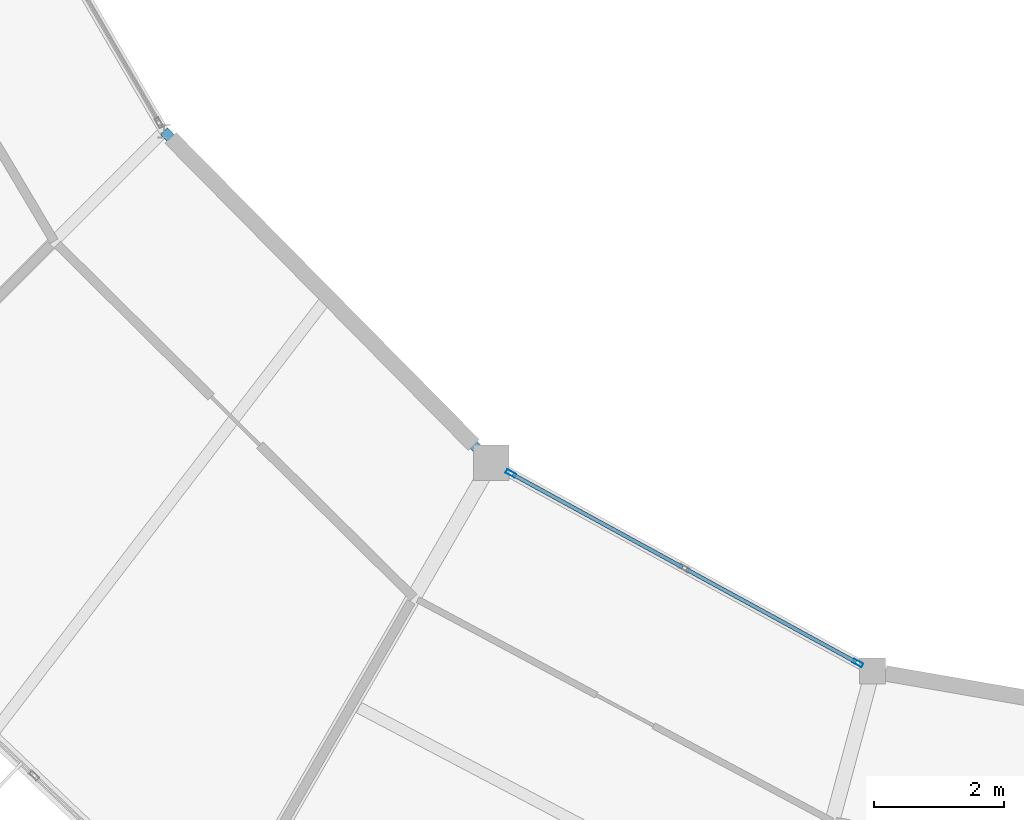
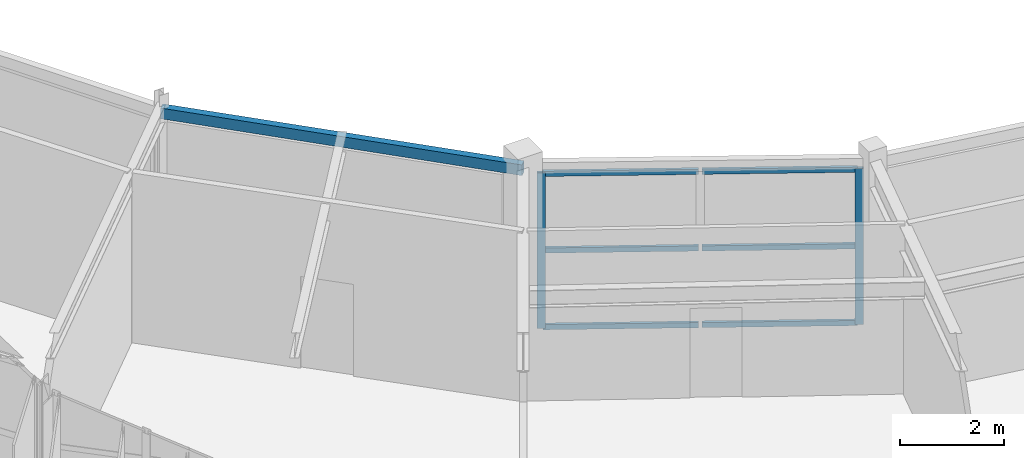
# One storey, part 28 of 134: 8 members, 1 beam, 1 element without a shape of its own.
"""IFC4 building model written with IfcOpenShell, lengths in metres."""

from ifc_helpers import new_model, si_unit, direction, frame, origin, origin_2d, place, context, subcontext, project, spatial, hollow_rectangle, extrude, material, material_profile, profile_set, type_object, element, aggregate, save


model = new_model("IFC4")

# Units and contexts
model_context = context("Model", 3, precision=1e-05, world=origin(), true_north=direction((0.0, 1.0)))
body_context = subcontext(model_context, "Body", "Model", "MODEL_VIEW")
ifc_project = project(units=[si_unit("LENGTHUNIT", "METRE"), si_unit("AREAUNIT", "SQUARE_METRE"), si_unit("VOLUMEUNIT", "CUBIC_METRE"), si_unit("PLANEANGLEUNIT", "RADIAN"), si_unit("MASSUNIT", "GRAM", prefix="KILO")], contexts=[model_context])

# Site, building, storey
site_placement = place(None, origin())
site = spatial("IfcSite", under=ifc_project, at=site_placement, CompositionType="ELEMENT")
building_placement = place(site_placement, origin())
building = spatial("IfcBuilding", under=site, at=building_placement, Name="Karori Crest Natural Sciences Institute", CompositionType="ELEMENT")
storey_placement = place(building_placement, frame((0.0, 0.0, 21.699951171875)))
storey = spatial("IfcBuildingStorey", under=building, at=storey_placement, Name="L05", CompositionType="ELEMENT", Elevation=21.699951171875)

# Beam
ifc_material_1 = material(Name="Hollow structural steel AS/NZS 1163 Grade C350", Category="steel")
ifc_material_profile_1 = material_profile(ifc_material_1, hollow_rectangle(XDim=0.14990234375, YDim=0.25, WallThickness=0.009033203125, at=origin_2d()), Name="RHS250x150x9")
ifc_profile_set_1 = profile_set([ifc_material_profile_1], Name="Hollow structural steel AS/NZS 1163 Grade C350")
beam_type = type_object("IfcBeamType", Name="BT-16", PredefinedType="SPANDREL", material=ifc_profile_set_1)
beam_placement = place(storey_placement, frame((49.146484375, 27.131103515625, 3.739990234375), z_axis=(0.70266285879, -0.711522948946, 0.0), x_axis=(0.711522948946, 0.70266285879, 0.0)))
element("IfcBeam", 1, at=beam_placement, inside=storey, type_object=beam_type, Name="Beam B-0690", PredefinedType="SPANDREL", context=body_context, shape_type="SweptSolid", body=[
    extrude(hollow_rectangle(XDim=0.14990234375, YDim=0.25, WallThickness=0.009033203125, at=origin_2d()), origin(), (0.0, 0.0, 1.0), 7.19189453125),
])

# Curtain wall, members
ifc_material_2 = material(Name="Anodised architectural aluminium 6063-T6", Category="aluminium")
curtain_wall_type = type_object("IfcCurtainWallType", Name="CWT-12", PredefinedType="NOTDEFINED", material=ifc_material_2)
curtain_wall_placement = place(storey_placement, origin())
curtain_wall = element("IfcCurtainWall", 2, at=curtain_wall_placement, inside=storey, type_object=curtain_wall_type, Name="Curtain wall CW-0197", PredefinedType="NOTDEFINED")
ifc_material_profile_2 = material_profile(ifc_material_2, hollow_rectangle(XDim=0.06494140625, YDim=0.159912109375, WallThickness=0.00390625, at=origin_2d()), Name="CWM160x65x4")
ifc_profile_set_2 = profile_set([ifc_material_profile_2], Name="Anodised architectural aluminium 6063-T6")
member_type_1 = type_object("IfcMemberType", Name="CWM-01", PredefinedType="MULLION", material=ifc_profile_set_2)
member_1_placement = place(storey_placement, frame((54.501708984375, 21.84912109375, 0.0), z_axis=(0.0, 0.0, 1.0), x_axis=(0.479631017431, 0.877470277057, 0.0)))
member_1 = element("IfcMember", 3, at=member_1_placement, type_object=member_type_1, Name="CW-0197 mullion 1", PredefinedType="MULLION", context=body_context, shape_type="SweptSolid", body=[
    extrude(hollow_rectangle(XDim=0.06494140625, YDim=0.159912109375, WallThickness=0.00390625, at=origin_2d()), origin(), (0.0, 0.0, 1.0), 3.650146484375),
])
member_2_placement = place(storey_placement, frame((59.858154296875, 18.921142578125, 0.0), z_axis=(0.0, 0.0, 1.0), x_axis=(0.479631017431, 0.877470277057, 0.0)))
member_2 = element("IfcMember", 4, at=member_2_placement, type_object=member_type_1, Name="CW-0197 mullion 3", PredefinedType="MULLION", context=body_context, shape_type="SweptSolid", body=[
    extrude(hollow_rectangle(XDim=0.06494140625, YDim=0.159912109375, WallThickness=0.00390625, at=origin_2d()), origin(), (0.0, 0.0, 1.0), 3.650146484375),
])
ifc_material_profile_3 = material_profile(ifc_material_2, hollow_rectangle(XDim=0.06005859375, YDim=0.1201171875, WallThickness=0.00390625, at=origin_2d()), Name="CWT120x60x4")
ifc_profile_set_3 = profile_set([ifc_material_profile_3], Name="Anodised architectural aluminium 6063-T6")
member_type_2 = type_object("IfcMemberType", Name="CWT-TR1", PredefinedType="USERDEFINED", material=ifc_profile_set_3)
member_3_placement = place(storey_placement, frame((54.5302734375, 21.83349609375, 0.030029296875), z_axis=(0.877448541585, -0.479670779672, 0.0), x_axis=(0.479670779672, 0.877448541585, 0.0)))
member_3 = element("IfcMember", 5, at=member_3_placement, type_object=member_type_2, Name="CW-0197 transom 1.1", ObjectType="TRANSOM", PredefinedType="USERDEFINED", context=body_context, shape_type="SweptSolid", body=[
    extrude(hollow_rectangle(XDim=0.06005859375, YDim=0.1201171875, WallThickness=0.00390625, at=origin_2d()), origin(), (0.0, 0.0, 1.0), 2.987060546875),
])
member_4_placement = place(storey_placement, frame((54.5302734375, 21.83349609375, 1.824951171875), z_axis=(0.877448541585, -0.479670779672, 0.0), x_axis=(0.479670779672, 0.877448541585, 0.0)))
member_4 = element("IfcMember", 6, at=member_4_placement, type_object=member_type_2, Name="CW-0197 transom 1.2", ObjectType="TRANSOM", PredefinedType="USERDEFINED", context=body_context, shape_type="SweptSolid", body=[
    extrude(hollow_rectangle(XDim=0.06005859375, YDim=0.1201171875, WallThickness=0.00390625, at=origin_2d()), origin(), (0.0, 0.0, 1.0), 2.987060546875),
])
member_5_placement = place(storey_placement, frame((54.5302734375, 21.83349609375, 3.6201171875), z_axis=(0.877448541585, -0.479670779672, 0.0), x_axis=(0.479670779672, 0.877448541585, 0.0)))
member_5 = element("IfcMember", 7, at=member_5_placement, type_object=member_type_2, Name="CW-0197 transom 1.3", ObjectType="TRANSOM", PredefinedType="USERDEFINED", context=body_context, shape_type="SweptSolid", body=[
    extrude(hollow_rectangle(XDim=0.06005859375, YDim=0.1201171875, WallThickness=0.00390625, at=origin_2d()), origin(), (0.0, 0.0, 1.0), 2.987060546875),
])
member_6_placement = place(storey_placement, frame((57.20849609375, 20.36962890625, 0.030029296875), z_axis=(0.877448541585, -0.479670779672, 0.0), x_axis=(0.479670779672, 0.877448541585, 0.0)))
member_6 = element("IfcMember", 8, at=member_6_placement, type_object=member_type_2, Name="CW-0197 transom 2.1", ObjectType="TRANSOM", PredefinedType="USERDEFINED", context=body_context, shape_type="SweptSolid", body=[
    extrude(hollow_rectangle(XDim=0.06005859375, YDim=0.1201171875, WallThickness=0.00390625, at=origin_2d()), origin(), (0.0, 0.0, 1.0), 2.987060546875),
])
member_7_placement = place(storey_placement, frame((57.20849609375, 20.36962890625, 1.824951171875), z_axis=(0.877448541585, -0.479670779672, 0.0), x_axis=(0.479670779672, 0.877448541585, 0.0)))
member_7 = element("IfcMember", 9, at=member_7_placement, type_object=member_type_2, Name="CW-0197 transom 2.2", ObjectType="TRANSOM", PredefinedType="USERDEFINED", context=body_context, shape_type="SweptSolid", body=[
    extrude(hollow_rectangle(XDim=0.06005859375, YDim=0.1201171875, WallThickness=0.00390625, at=origin_2d()), origin(), (0.0, 0.0, 1.0), 2.987060546875),
])
member_8_placement = place(storey_placement, frame((57.20849609375, 20.36962890625, 3.6201171875), z_axis=(0.877448541585, -0.479670779672, 0.0), x_axis=(0.479670779672, 0.877448541585, 0.0)))
member_8 = element("IfcMember", 10, at=member_8_placement, type_object=member_type_2, Name="CW-0197 transom 2.3", ObjectType="TRANSOM", PredefinedType="USERDEFINED", context=body_context, shape_type="SweptSolid", body=[
    extrude(hollow_rectangle(XDim=0.06005859375, YDim=0.1201171875, WallThickness=0.00390625, at=origin_2d()), origin(), (0.0, 0.0, 1.0), 2.987060546875),
])
aggregate(curtain_wall, [member_1, member_2, member_3, member_4, member_5, member_6, member_7, member_8])

save(model, "model.ifc")
